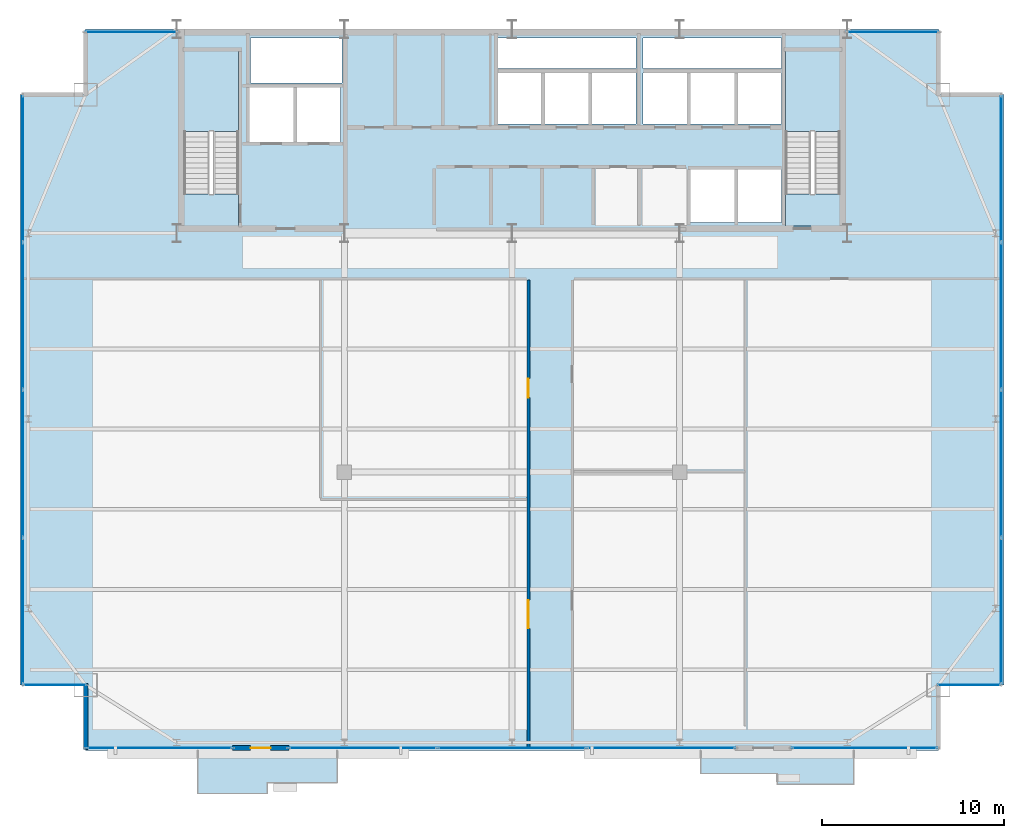
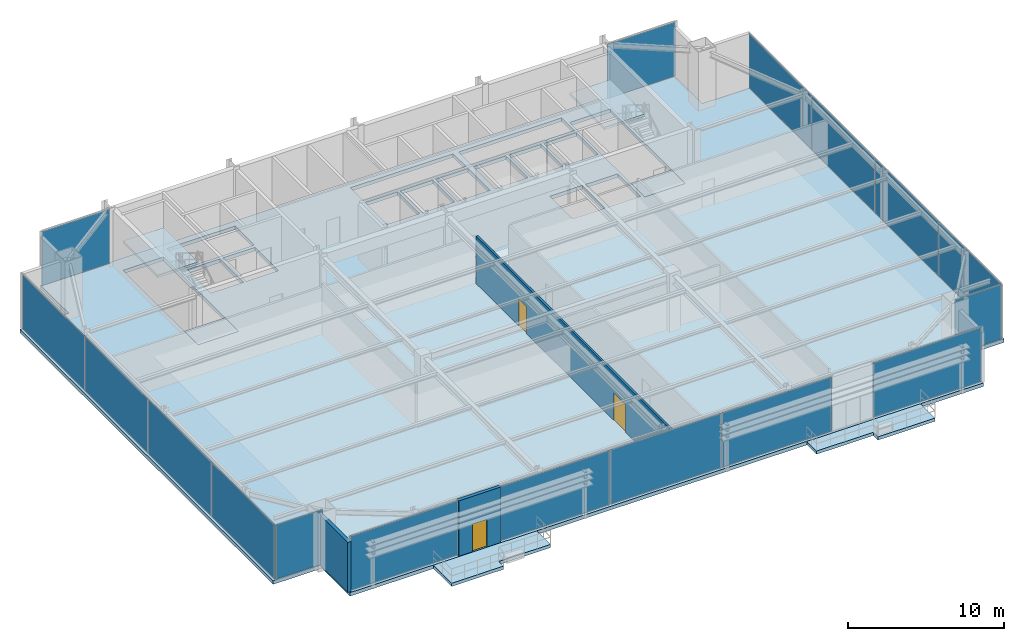
# One storey, part 20 of 25: 17 plates, 7 slabs, 3 doors, 3 walls, 3 openings, 11 elements without a shape of their own.
"""IFC4 building model written with IfcOpenShell, lengths in metres."""

from ifc_helpers import new_model, si_unit, direction, frame, frame_2d, origin, origin_2d, place, context, subcontext, project, spatial, polyline, rectangle, outline, extrude, source, transform, mapped, material, layer, layer_set, type_object, type_shapes, element, fill, aggregate, save


model = new_model("IFC4")

# Units and contexts
model_context = context("Model", 3, precision=1e-05, world=origin(), true_north=direction((0.0, 1.0)))
body_context = subcontext(model_context, "Body", "Model", "MODEL_VIEW")
ifc_project = project(units=[si_unit("LENGTHUNIT", "METRE"), si_unit("AREAUNIT", "SQUARE_METRE"), si_unit("VOLUMEUNIT", "CUBIC_METRE"), si_unit("PLANEANGLEUNIT", "RADIAN"), si_unit("MASSUNIT", "GRAM", prefix="KILO")], contexts=[model_context])

# Site, building, storey
site_placement = place(None, origin())
site = spatial("IfcSite", under=ifc_project, at=site_placement, CompositionType="ELEMENT")
building_placement = place(site_placement, origin())
building = spatial("IfcBuilding", under=site, at=building_placement, Name="Varnel Quay Broadcast Tower", CompositionType="ELEMENT")
storey_placement = place(building_placement, frame((0.0, 0.0, 191.39990234375)))
storey = spatial("IfcBuildingStorey", under=building, at=storey_placement, Name="L47", CompositionType="ELEMENT", Elevation=191.39990234375)

# Slabs
ifc_material_1 = material(Name="Concrete CSA A23.3 C40/50", Category="concrete")
ifc_layer_1 = layer(ifc_material_1, 0.25, Name="Concrete CSA A23.3 C40/50")
ifc_layer_set_1 = layer_set([ifc_layer_1], Name="Concrete CSA A23.3 C40/50")
slab_type_1 = type_object("IfcSlabType", Name="Slab_ExtTerrace250", PredefinedType="FLOOR", material=ifc_layer_set_1)
slab_1_placement = place(storey_placement, frame((0.0, 0.0, -0.25)))
element("IfcSlab", 1, at=slab_1_placement, inside=storey, type_object=slab_type_1, Name="L47 Planted Lobe Terrace Slab 1", PredefinedType="FLOOR", context=body_context, shape_type="SweptSolid", body=[
    extrude(outline(polyline([(16.75, 4.85009765625), (20.574951171875, 4.85009765625), (20.574951171875, 5.449951171875), (24.39990234375, 5.449951171875), (24.39990234375, 7.199951171875), (16.75, 7.199951171875), (16.75, 4.85009765625)])), origin(), (0.0, 0.0, 1.0), 0.25),
])
slab_2_placement = place(storey_placement, frame((0.0, 0.0, -0.25)))
element("IfcSlab", 2, at=slab_2_placement, inside=storey, type_object=slab_type_1, Name="L47 Planted Lobe Terrace Slab 2", PredefinedType="FLOOR", context=body_context, shape_type="SweptSolid", body=[
    extrude(outline(polyline([(44.35009765625, 5.949951171875), (48.550048828125, 5.949951171875), (48.550048828125, 5.35009765625), (52.75, 5.35009765625), (52.75, 7.199951171875), (44.35009765625, 7.199951171875), (44.35009765625, 5.949951171875)])), origin(), (0.0, 0.0, 1.0), 0.25),
])
ifc_material_2 = material(Name="Concrete CSA A23.3 C50/60", Category="concrete")
ifc_layer_2 = layer(ifc_material_2, 0.280029296875, Name="Concrete CSA A23.3 C50/60")
ifc_layer_set_2 = layer_set([ifc_layer_2], Name="Concrete CSA A23.3 C50/60")
slab_type_2 = type_object("IfcSlabType", Name="Slab_Floor280", PredefinedType="FLOOR", material=ifc_layer_set_2)
slab_3_placement = place(storey_placement, frame((0.0, 0.0, -0.27978515625)))
element("IfcSlab", 3, at=slab_3_placement, inside=storey, type_object=slab_type_2, Name="L47 Structural Slab", PredefinedType="FLOOR", context=body_context, shape_type="SweptSolid", body=[
    extrude(outline(polyline([(10.60009765625, 7.199951171875), (57.39990234375, 7.199951171875), (57.39990234375, 10.800048828125), (61.0, 10.800048828125), (61.0, 43.199951171875), (57.39990234375, 43.199951171875), (57.39990234375, 46.800048828125), (10.60009765625, 46.800048828125), (10.60009765625, 43.199951171875), (7.0, 43.199951171875), (7.0, 10.800048828125), (10.60009765625, 10.800048828125), (10.60009765625, 7.199951171875)]), holes=[polyline([(19.0, 36.0), (16.0, 36.0), (16.0, 45.60009765625), (19.0, 45.60009765625), (19.0, 36.0)]), polyline([(19.60009765625, 43.60009765625), (22.0, 43.60009765625), (22.0, 40.60009765625), (19.60009765625, 40.60009765625), (19.60009765625, 43.60009765625)]), polyline([(22.199951171875, 43.60009765625), (24.60009765625, 43.60009765625), (24.60009765625, 40.60009765625), (22.199951171875, 40.60009765625), (22.199951171875, 43.60009765625)]), polyline([(33.199951171875, 44.39990234375), (35.60009765625, 44.39990234375), (35.60009765625, 41.60009765625), (33.199951171875, 41.60009765625), (33.199951171875, 44.39990234375)]), polyline([(35.800048828125, 44.39990234375), (38.199951171875, 44.39990234375), (38.199951171875, 41.60009765625), (35.800048828125, 41.60009765625), (35.800048828125, 44.39990234375)]), polyline([(38.39990234375, 44.39990234375), (40.800048828125, 44.39990234375), (40.800048828125, 41.60009765625), (38.39990234375, 41.60009765625), (38.39990234375, 44.39990234375)]), polyline([(19.64990234375, 46.300048828125), (24.679931640625, 46.300048828125), (24.679931640625, 43.85009765625), (19.64990234375, 43.85009765625), (19.64990234375, 46.300048828125)]), polyline([(33.199951171875, 46.300048828125), (40.800048828125, 46.300048828125), (40.800048828125, 44.64990234375), (33.199951171875, 44.64990234375), (33.199951171875, 46.300048828125)]), polyline([(43.800048828125, 39.10009765625), (46.199951171875, 39.10009765625), (46.199951171875, 36.199951171875), (43.800048828125, 36.199951171875), (43.800048828125, 39.10009765625)]), polyline([(46.39990234375, 39.10009765625), (48.800048828125, 39.10009765625), (48.800048828125, 36.199951171875), (46.39990234375, 36.199951171875), (46.39990234375, 39.10009765625)]), polyline([(49.0, 36.0), (49.0, 45.60009765625), (52.0, 45.60009765625), (52.0, 36.0), (49.0, 36.0)]), polyline([(41.199951171875, 44.39990234375), (43.60009765625, 44.39990234375), (43.60009765625, 41.60009765625), (41.199951171875, 41.60009765625), (41.199951171875, 44.39990234375)]), polyline([(43.800048828125, 44.39990234375), (46.199951171875, 44.39990234375), (46.199951171875, 41.60009765625), (43.800048828125, 41.60009765625), (43.800048828125, 44.39990234375)]), polyline([(46.39990234375, 44.39990234375), (48.800048828125, 44.39990234375), (48.800048828125, 41.60009765625), (46.39990234375, 41.60009765625), (46.39990234375, 44.39990234375)]), polyline([(41.199951171875, 46.300048828125), (48.800048828125, 46.300048828125), (48.800048828125, 44.64990234375), (41.199951171875, 44.64990234375), (41.199951171875, 46.300048828125)])]), origin(), (0.0, 0.0, 1.0), 0.27978515625),
])
ifc_layer_3 = layer(ifc_material_2, 0.25, Name="Concrete CSA A23.3 C50/60")
ifc_layer_set_3 = layer_set([ifc_layer_3], Name="Concrete CSA A23.3 C50/60")
slab_type_3 = type_object("IfcSlabType", Name="Slab_StairFloorLanding250", PredefinedType="FLOOR", material=ifc_layer_set_3)
slab_4_placement = place(storey_placement, frame((0.0, 0.0, -0.27978515625)))
element("IfcSlab", 4, at=slab_4_placement, inside=storey, type_object=slab_type_3, Name="L47 ST-01 Structural Floor Landing Slab", PredefinedType="FLOOR", context=body_context, shape_type="SweptSolid", body=[
    extrude(outline(polyline([(19.0, 36.0), (19.0, 37.75), (16.0, 37.75), (16.0, 36.0), (19.0, 36.0)])), origin(), (0.0, 0.0, 1.0), 0.27978515625),
])
slab_5_placement = place(storey_placement, frame((0.0, 0.0, -0.27978515625)))
element("IfcSlab", 5, at=slab_5_placement, inside=storey, type_object=slab_type_3, Name="L47 ST-02 Structural Floor Landing Slab", PredefinedType="FLOOR", context=body_context, shape_type="SweptSolid", body=[
    extrude(outline(polyline([(52.0, 36.0), (52.0, 37.75), (49.0, 37.75), (49.0, 36.0), (52.0, 36.0)])), origin(), (0.0, 0.0, 1.0), 0.27978515625),
])

# Stair, slab
ifc_material_3 = material(Name="Precast Structural Concrete C40/50", Category="concrete")
stair_type_1 = type_object("IfcStairType", Name="Stair_ST-01", PredefinedType="HALF_TURN_STAIR", material=ifc_material_3)
stair_1_placement = place(storey_placement, origin())
stair_1 = element("IfcStair", 6, at=stair_1_placement, inside=storey, type_object=stair_type_1, Name="L47 West Core Exit Stair 1", PredefinedType="HALF_TURN_STAIR")
ifc_layer_4 = layer(ifc_material_3, 0.199951171875, Name="Precast Structural Concrete C40/50")
ifc_layer_set_4 = layer_set([ifc_layer_4], Name="Precast Structural Concrete C40/50")
slab_type_4 = type_object("IfcSlabType", Name="Slab_StairLanding200", PredefinedType="LANDING", material=ifc_layer_set_4)
slab_6_placement = place(storey_placement, frame((0.0, 0.0, 2.10009765625)))
slab_6 = element("IfcSlab", 7, at=slab_6_placement, type_object=slab_type_4, Name="ST-01 landing 1", PredefinedType="LANDING", context=body_context, shape_type="SweptSolid", body=[
    extrude(outline(polyline([(19.0, 41.169921875), (19.0, 45.60009765625), (16.0, 45.60009765625), (16.0, 41.169921875), (19.0, 41.169921875)])), origin(), (0.0, 0.0, 1.0), 0.199951171875),
])
aggregate(stair_1, [slab_6])

stair_type_2 = type_object("IfcStairType", Name="Stair_ST-02", PredefinedType="HALF_TURN_STAIR", material=ifc_material_3)
stair_2_placement = place(storey_placement, origin())
stair_2 = element("IfcStair", 8, at=stair_2_placement, inside=storey, type_object=stair_type_2, Name="L47 East Core Exit Stair 2", PredefinedType="HALF_TURN_STAIR")
slab_7_placement = place(storey_placement, frame((0.0, 0.0, 2.10009765625)))
slab_7 = element("IfcSlab", 9, at=slab_7_placement, type_object=slab_type_4, Name="ST-02 landing 1", PredefinedType="LANDING", context=body_context, shape_type="SweptSolid", body=[
    extrude(outline(polyline([(52.0, 41.169921875), (52.0, 45.60009765625), (49.0, 45.60009765625), (49.0, 41.169921875), (52.0, 41.169921875)])), origin(), (0.0, 0.0, 1.0), 0.199951171875),
])
aggregate(stair_2, [slab_7])

# Curtain wall, plate
ifc_material_4 = material(Name="Anodised Bronze Aluminium 6063-T6", Category="aluminium")
ifc_layer_5 = layer(ifc_material_4, 0.18994140625, Name="Anodised Bronze Aluminium 6063-T6")
ifc_layer_set_5 = layer_set([ifc_layer_5], Name="Anodised Bronze Aluminium 6063-T6")
curtain_wall_type_1 = type_object("IfcCurtainWallType", Name="CW_NotchCorner", PredefinedType="NOTDEFINED", material=ifc_layer_set_5)
curtain_wall_1_placement = place(storey_placement, origin())
curtain_wall_1 = element("IfcCurtainWall", 10, at=curtain_wall_1_placement, inside=storey, type_object=curtain_wall_type_1, Name="L47 SW Notch Curtain Wall", PredefinedType="NOTDEFINED")
ifc_material_5 = material(Name="Triple-Glazed Bronze Low-E Architectural Glass", Category="glass")
ifc_layer_6 = layer(ifc_material_5, 0.028076171875, Name="Triple-Glazed Bronze Low-E Architectural Glass")
ifc_layer_set_6 = layer_set([ifc_layer_6], Name="Triple-Glazed Bronze Low-E Architectural Glass")
plate_type_1 = type_object("IfcPlateType", Name="Panel_CWS-04", PredefinedType="CURTAIN_PANEL", material=ifc_layer_set_6)
shared_shape_1 = source(origin(), body_context, "Body", "SweptSolid", [
    extrude(rectangle(XDim=3.409912109375, YDim=0.028076171875, at=origin_2d()), origin(), (0.0, 0.0, 1.0), 4.239990234375),
])
type_shapes(plate_type_1, [shared_shape_1])
plate_1_placement = place(storey_placement, frame((8.9150390625, 10.800048828125, 0.05517578125), z_axis=(0.0, 0.0, 1.0), x_axis=(1.0, 0.0, 0.0)))
plate_1 = element("IfcPlate", 11, at=plate_1_placement, type_object=plate_type_1, Name="CWS-04 panel 1.1", PredefinedType="CURTAIN_PANEL", context=body_context, shape_type="MappedRepresentation", body=[
    mapped(shared_shape_1, transform((0.0, 0.0, 0.0), x_axis=(1.0, 0.0, 0.0), y_axis=(0.0, 1.0, 0.0), z_axis=(0.0, 0.0, 1.0), scale=1.0)),
])
aggregate(curtain_wall_1, [plate_1])

curtain_wall_2_placement = place(storey_placement, origin())
curtain_wall_2 = element("IfcCurtainWall", 12, at=curtain_wall_2_placement, inside=storey, type_object=curtain_wall_type_1, Name="L47 SE Notch Curtain Wall", PredefinedType="NOTDEFINED")
plate_2_placement = place(storey_placement, frame((59.0849609375, 10.800048828125, 0.05517578125), z_axis=(0.0, 0.0, 1.0), x_axis=(1.0, 0.0, 0.0)))
plate_2 = element("IfcPlate", 13, at=plate_2_placement, type_object=plate_type_1, Name="CWS-04 panel 1.1", PredefinedType="CURTAIN_PANEL", context=body_context, shape_type="MappedRepresentation", body=[
    mapped(shared_shape_1, transform((0.0, 0.0, 0.0), x_axis=(1.0, 0.0, 0.0), y_axis=(0.0, 1.0, 0.0), z_axis=(0.0, 0.0, 1.0), scale=1.0)),
])
aggregate(curtain_wall_2, [plate_2])

ifc_layer_7 = layer(ifc_material_4, 0.18994140625, Name="Anodised Bronze Aluminium 6063-T6")
ifc_layer_set_7 = layer_set([ifc_layer_7], Name="Anodised Bronze Aluminium 6063-T6")
curtain_wall_type_2 = type_object("IfcCurtainWallType", Name="CW_SkyObsHighVis", PredefinedType="NOTDEFINED", material=ifc_layer_set_7)
curtain_wall_3_placement = place(storey_placement, origin())
curtain_wall_3 = element("IfcCurtainWall", 14, at=curtain_wall_3_placement, inside=storey, type_object=curtain_wall_type_2, Name="L47 South Unitised Curtain Wall 1", PredefinedType="NOTDEFINED")
ifc_material_6 = material(Name="Triple-Glazed Clear High-Vision Low-E Glass", Category="glass")
ifc_layer_8 = layer(ifc_material_6, 0.0380859375, Name="Triple-Glazed Clear High-Vision Low-E Glass")
ifc_layer_set_8 = layer_set([ifc_layer_8], Name="Triple-Glazed Clear High-Vision Low-E Glass")
plate_type_2 = type_object("IfcPlateType", Name="Panel_CWS-05", PredefinedType="CURTAIN_PANEL", material=ifc_layer_set_8)
shared_shape_2 = source(origin(), body_context, "Body", "SweptSolid", [
    extrude(rectangle(XDim=7.969970703125, YDim=0.0380859375, at=origin_2d()), origin(), (0.0, 0.0, 1.0), 4.22998046875),
])
plate_3_placement = place(storey_placement, frame((14.659912109375, 7.35009765625, 0.06005859375), z_axis=(0.0, 0.0, 1.0), x_axis=(1.0, 0.0, 0.0)))
plate_3 = element("IfcPlate", 15, at=plate_3_placement, type_object=plate_type_2, Name="CWS-05 panel 1.1", PredefinedType="CURTAIN_PANEL", context=body_context, shape_type="MappedRepresentation", body=[
    mapped(shared_shape_2, transform((0.0, 0.0, 0.0), x_axis=(1.0, 0.0, 0.0), y_axis=(0.0, 1.0, 0.0), z_axis=(0.0, 0.0, 1.0), scale=1.0)),
])
aggregate(curtain_wall_3, [plate_3])

curtain_wall_4_placement = place(storey_placement, origin())
curtain_wall_4 = element("IfcCurtainWall", 16, at=curtain_wall_4_placement, inside=storey, type_object=curtain_wall_type_2, Name="L47 South Unitised Curtain Wall 3", PredefinedType="NOTDEFINED")
plate_4_placement = place(storey_placement, frame((53.340087890625, 7.35009765625, 0.06005859375), z_axis=(0.0, 0.0, 1.0), x_axis=(1.0, 0.0, 0.0)))
plate_4 = element("IfcPlate", 17, at=plate_4_placement, type_object=plate_type_2, Name="CWS-05 panel 1.1", PredefinedType="CURTAIN_PANEL", context=body_context, shape_type="MappedRepresentation", body=[
    mapped(shared_shape_2, transform((0.0, 0.0, 0.0), x_axis=(1.0, 0.0, 0.0), y_axis=(0.0, 1.0, 0.0), z_axis=(0.0, 0.0, 1.0), scale=1.0)),
])
aggregate(curtain_wall_4, [plate_4])

# Curtain wall, plates
curtain_wall_5_placement = place(storey_placement, origin())
curtain_wall_5 = element("IfcCurtainWall", 18, at=curtain_wall_5_placement, inside=storey, type_object=curtain_wall_type_2, Name="L47 South Unitised Curtain Wall 2", PredefinedType="NOTDEFINED")
shared_shape_3 = source(origin(), body_context, "Body", "SweptSolid", [
    extrude(rectangle(XDim=8.100830078125, YDim=0.0380859375, at=origin_2d()), origin(), (0.0, 0.0, 1.0), 4.22998046875),
])
plate_5_placement = place(storey_placement, frame((25.805419921875, 7.35009765625, 0.06005859375), z_axis=(0.0, 0.0, 1.0), x_axis=(1.0, 0.0, 0.0)))
plate_5 = element("IfcPlate", 19, at=plate_5_placement, type_object=plate_type_2, Name="CWS-05 panel 1.1", PredefinedType="CURTAIN_PANEL", context=body_context, shape_type="MappedRepresentation", body=[
    mapped(shared_shape_3, transform((0.0, 0.0, 0.0), x_axis=(1.0, 0.0, 0.0), y_axis=(0.0, 1.0, 0.0), z_axis=(0.0, 0.0, 1.0), scale=1.0)),
])
plate_6_placement = place(storey_placement, frame((42.194580078125, 7.35009765625, 0.06005859375), z_axis=(0.0, 0.0, 1.0), x_axis=(1.0, 0.0, 0.0)))
plate_6 = element("IfcPlate", 20, at=plate_6_placement, type_object=plate_type_2, Name="CWS-05 panel 3.1", PredefinedType="CURTAIN_PANEL", context=body_context, shape_type="MappedRepresentation", body=[
    mapped(shared_shape_3, transform((0.0, 0.0, 0.0), x_axis=(1.0, 0.0, 0.0), y_axis=(0.0, 1.0, 0.0), z_axis=(0.0, 0.0, 1.0), scale=1.0)),
])
shared_shape_4 = source(origin(), body_context, "Body", "SweptSolid", [
    extrude(rectangle(XDim=8.138427734375, YDim=0.0380859375, at=origin_2d()), origin(), (0.0, 0.0, 1.0), 4.22998046875),
])
plate_7_placement = place(storey_placement, frame((34.0, 7.35009765625, 0.06005859375), z_axis=(0.0, 0.0, 1.0), x_axis=(1.0, 0.0, 0.0)))
plate_7 = element("IfcPlate", 21, at=plate_7_placement, type_object=plate_type_2, Name="CWS-05 panel 2.1", PredefinedType="CURTAIN_PANEL", context=body_context, shape_type="MappedRepresentation", body=[
    mapped(shared_shape_4, transform((0.0, 0.0, 0.0), x_axis=(1.0, 0.0, 0.0), y_axis=(0.0, 1.0, 0.0), z_axis=(0.0, 0.0, 1.0), scale=1.0)),
])
aggregate(curtain_wall_5, [plate_5, plate_7, plate_6])

curtain_wall_6_placement = place(storey_placement, origin())
curtain_wall_6 = element("IfcCurtainWall", 22, at=curtain_wall_6_placement, inside=storey, type_object=curtain_wall_type_2, Name="L47 West Unitised Curtain Wall", PredefinedType="NOTDEFINED")
shared_shape_5 = source(origin(), body_context, "Body", "SweptSolid", [
    extrude(rectangle(XDim=7.987548828125, YDim=0.0380859375, at=origin_2d()), origin(), (0.0, 0.0, 1.0), 4.22998046875),
])
plate_8_placement = place(storey_placement, frame((7.14990234375, 14.86865234375, 0.06005859375), z_axis=(0.0, 0.0, 1.0), x_axis=(0.0, 1.0, 0.0)))
plate_8 = element("IfcPlate", 23, at=plate_8_placement, type_object=plate_type_2, Name="CWS-05 panel 1.1", PredefinedType="CURTAIN_PANEL", context=body_context, shape_type="MappedRepresentation", body=[
    mapped(shared_shape_5, transform((0.0, 0.0, 0.0), x_axis=(1.0, 0.0, 0.0), y_axis=(0.0, 1.0, 0.0), z_axis=(0.0, 0.0, 1.0), scale=1.0)),
])
plate_9_placement = place(storey_placement, frame((7.14990234375, 39.13134765625, 0.06005859375), z_axis=(0.0, 0.0, 1.0), x_axis=(0.0, 1.0, 0.0)))
plate_9 = element("IfcPlate", 24, at=plate_9_placement, type_object=plate_type_2, Name="CWS-05 panel 4.1", PredefinedType="CURTAIN_PANEL", context=body_context, shape_type="MappedRepresentation", body=[
    mapped(shared_shape_5, transform((0.0, 0.0, 0.0), x_axis=(1.0, 0.0, 0.0), y_axis=(0.0, 1.0, 0.0), z_axis=(0.0, 0.0, 1.0), scale=1.0)),
])

curtain_wall_7_placement = place(storey_placement, origin())
curtain_wall_7 = element("IfcCurtainWall", 25, at=curtain_wall_7_placement, inside=storey, type_object=curtain_wall_type_2, Name="L47 East Unitised Curtain Wall", PredefinedType="NOTDEFINED")
plate_10_placement = place(storey_placement, frame((60.85009765625, 14.86865234375, 0.06005859375), z_axis=(0.0, 0.0, 1.0), x_axis=(0.0, 1.0, 0.0)))
plate_10 = element("IfcPlate", 26, at=plate_10_placement, type_object=plate_type_2, Name="CWS-05 panel 1.1", PredefinedType="CURTAIN_PANEL", context=body_context, shape_type="MappedRepresentation", body=[
    mapped(shared_shape_5, transform((0.0, 0.0, 0.0), x_axis=(1.0, 0.0, 0.0), y_axis=(0.0, 1.0, 0.0), z_axis=(0.0, 0.0, 1.0), scale=1.0)),
])
plate_11_placement = place(storey_placement, frame((60.85009765625, 39.13134765625, 0.06005859375), z_axis=(0.0, 0.0, 1.0), x_axis=(0.0, 1.0, 0.0)))
plate_11 = element("IfcPlate", 27, at=plate_11_placement, type_object=plate_type_2, Name="CWS-05 panel 4.1", PredefinedType="CURTAIN_PANEL", context=body_context, shape_type="MappedRepresentation", body=[
    mapped(shared_shape_5, transform((0.0, 0.0, 0.0), x_axis=(1.0, 0.0, 0.0), y_axis=(0.0, 1.0, 0.0), z_axis=(0.0, 0.0, 1.0), scale=1.0)),
])

# Plate
shared_shape_6 = source(origin(), body_context, "Body", "SweptSolid", [
    extrude(rectangle(XDim=8.02490234375, YDim=0.0380859375, at=origin_2d()), origin(), (0.0, 0.0, 1.0), 4.22998046875),
])
plate_12_placement = place(storey_placement, frame((7.14990234375, 22.949951171875, 0.06005859375), z_axis=(0.0, 0.0, 1.0), x_axis=(0.0, 1.0, 0.0)))
plate_12 = element("IfcPlate", 28, at=plate_12_placement, type_object=plate_type_2, Name="CWS-05 panel 2.1", PredefinedType="CURTAIN_PANEL", context=body_context, shape_type="MappedRepresentation", body=[
    mapped(shared_shape_6, transform((0.0, 0.0, 0.0), x_axis=(1.0, 0.0, 0.0), y_axis=(0.0, 1.0, 0.0), z_axis=(0.0, 0.0, 1.0), scale=1.0)),
])

plate_13_placement = place(storey_placement, frame((7.14990234375, 31.050048828125, 0.06005859375), z_axis=(0.0, 0.0, 1.0), x_axis=(0.0, 1.0, 0.0)))
plate_13 = element("IfcPlate", 29, at=plate_13_placement, type_object=plate_type_2, Name="CWS-05 panel 3.1", PredefinedType="CURTAIN_PANEL", context=body_context, shape_type="MappedRepresentation", body=[
    mapped(shared_shape_6, transform((0.0, 0.0, 0.0), x_axis=(1.0, 0.0, 0.0), y_axis=(0.0, 1.0, 0.0), z_axis=(0.0, 0.0, 1.0), scale=1.0)),
])

aggregate(curtain_wall_6, [plate_8, plate_12, plate_13, plate_9])

plate_14_placement = place(storey_placement, frame((60.85009765625, 22.949951171875, 0.06005859375), z_axis=(0.0, 0.0, 1.0), x_axis=(0.0, 1.0, 0.0)))
plate_14 = element("IfcPlate", 30, at=plate_14_placement, type_object=plate_type_2, Name="CWS-05 panel 2.1", PredefinedType="CURTAIN_PANEL", context=body_context, shape_type="MappedRepresentation", body=[
    mapped(shared_shape_6, transform((0.0, 0.0, 0.0), x_axis=(1.0, 0.0, 0.0), y_axis=(0.0, 1.0, 0.0), z_axis=(0.0, 0.0, 1.0), scale=1.0)),
])

plate_15_placement = place(storey_placement, frame((60.85009765625, 31.050048828125, 0.06005859375), z_axis=(0.0, 0.0, 1.0), x_axis=(0.0, 1.0, 0.0)))
plate_15 = element("IfcPlate", 31, at=plate_15_placement, type_object=plate_type_2, Name="CWS-05 panel 3.1", PredefinedType="CURTAIN_PANEL", context=body_context, shape_type="MappedRepresentation", body=[
    mapped(shared_shape_6, transform((0.0, 0.0, 0.0), x_axis=(1.0, 0.0, 0.0), y_axis=(0.0, 1.0, 0.0), z_axis=(0.0, 0.0, 1.0), scale=1.0)),
])

aggregate(curtain_wall_7, [plate_10, plate_14, plate_15, plate_11])

# Curtain wall, plate
curtain_wall_8_placement = place(storey_placement, origin())
curtain_wall_8 = element("IfcCurtainWall", 32, at=curtain_wall_8_placement, inside=storey, type_object=curtain_wall_type_2, Name="L47 NW Wing Curtain Wall", PredefinedType="NOTDEFINED")
shared_shape_7 = source(origin(), body_context, "Body", "SweptSolid", [
    extrude(rectangle(XDim=5.030029296875, YDim=0.0380859375, at=origin_2d()), origin(), (0.0, 0.0, 1.0), 4.22998046875),
])
type_shapes(plate_type_2, [shared_shape_2, shared_shape_3, shared_shape_4, shared_shape_5, shared_shape_6, shared_shape_7])
plate_16_placement = place(storey_placement, frame((13.110107421875, 46.64990234375, 0.06005859375), z_axis=(0.0, 0.0, 1.0), x_axis=(1.0, 0.0, 0.0)))
plate_16 = element("IfcPlate", 33, at=plate_16_placement, type_object=plate_type_2, Name="CWS-05 panel 1.1", PredefinedType="CURTAIN_PANEL", context=body_context, shape_type="MappedRepresentation", body=[
    mapped(shared_shape_7, transform((0.0, 0.0, 0.0), x_axis=(1.0, 0.0, 0.0), y_axis=(0.0, 1.0, 0.0), z_axis=(0.0, 0.0, 1.0), scale=1.0)),
])
aggregate(curtain_wall_8, [plate_16])

curtain_wall_9_placement = place(storey_placement, origin())
curtain_wall_9 = element("IfcCurtainWall", 34, at=curtain_wall_9_placement, inside=storey, type_object=curtain_wall_type_2, Name="L47 NE Wing Curtain Wall", PredefinedType="NOTDEFINED")
plate_17_placement = place(storey_placement, frame((54.889892578125, 46.64990234375, 0.06005859375), z_axis=(0.0, 0.0, 1.0), x_axis=(1.0, 0.0, 0.0)))
plate_17 = element("IfcPlate", 35, at=plate_17_placement, type_object=plate_type_2, Name="CWS-05 panel 1.1", PredefinedType="CURTAIN_PANEL", context=body_context, shape_type="MappedRepresentation", body=[
    mapped(shared_shape_7, transform((0.0, 0.0, 0.0), x_axis=(1.0, 0.0, 0.0), y_axis=(0.0, 1.0, 0.0), z_axis=(0.0, 0.0, 1.0), scale=1.0)),
])
aggregate(curtain_wall_9, [plate_17])

# Wall, opening, door
ifc_material_7 = material(Name="Precast Architectural Concrete C40/50", Category="concrete")
ifc_layer_9 = layer(ifc_material_7, 0.25, Name="Precast Architectural Concrete C40/50")
ifc_layer_set_9 = layer_set([ifc_layer_9], Name="Precast Architectural Concrete C40/50")
wall_type_1 = type_object("IfcWallType", Name="Wall_ExtTerrace250", PredefinedType="SOLIDWALL", material=ifc_layer_set_9)
wall_1_placement = place(storey_placement, frame((18.64990234375, 7.35009765625, 0.0), z_axis=(0.0, 0.0, 1.0), x_axis=(1.0, 0.0, 0.0)))
wall_1 = element("IfcWall", 36, at=wall_1_placement, inside=storey, type_object=wall_type_1, Name="L47 Terrace Access Wall 1", PredefinedType="SOLIDWALL", context=body_context, shape_type="SweptSolid", body=[
    extrude(rectangle(XDim=3.10009765625, YDim=0.25, at=frame_2d((1.550048828125, 0.0))), origin(), (0.0, 0.0, 1.0), 4.330078125),
])
opening_1_placement = place(wall_1_placement, frame((1.0, 0.0, 0.0)))
opening_1 = element("IfcOpeningElement", 37, at=opening_1_placement, cuts=wall_1, Name="Opening TD-471", PredefinedType="OPENING", context=body_context, shape_type="SweptSolid", body=[
    extrude(rectangle(XDim=1.10009765625, YDim=2.14990234375, at=frame_2d((0.550048828125, 1.074951171875))), frame((0.0, 0.135009765625, 0.0), z_axis=(0.0, -1.0, 0.0), x_axis=(1.0, 0.0, 0.0)), (0.0, 0.0, 1.0), 0.27001953125),
])
door_type_1 = type_object("IfcDoorType", Name="Door_ExtTerrace1100", OperationType="NOTDEFINED", PredefinedType="DOOR", material=ifc_material_4)
shared_shape_8 = source(origin(), body_context, "Body", "SweptSolid", [
    extrude(rectangle(XDim=1.10009765625, YDim=2.14990234375, at=frame_2d((0.550048828125, 1.074951171875))), frame((0.0, 0.02490234375, 0.0), z_axis=(0.0, -1.0, 0.0), x_axis=(1.0, 0.0, 0.0)), (0.0, 0.0, 1.0), 0.050048828125),
])
type_shapes(door_type_1, [shared_shape_8])
door_1_placement = place(opening_1_placement, frame((1.10009765625, 0.0, 0.0), z_axis=(0.0, 0.0, 1.0), x_axis=(-1.0, 0.0, 0.0)))
door_1 = element("IfcDoor", 38, at=door_1_placement, inside=storey, type_object=door_type_1, Name="L47 Terrace Door TD-471", OperationType="SINGLE_SWING_LEFT", OverallHeight=2.14990234375, OverallWidth=1.10009765625, PredefinedType="DOOR", context=body_context, shape_type="MappedRepresentation", body=[
    mapped(shared_shape_8, transform((0.0, 0.0, 0.0), x_axis=(1.0, 0.0, 0.0), y_axis=(0.0, 1.0, 0.0), z_axis=(0.0, 0.0, 1.0), scale=1.0)),
])
fill(opening_1, door_1)

# Wall
wall_2_placement = place(storey_placement, frame((10.60009765625, 7.280029296875, 0.0), z_axis=(0.0, 0.0, 1.0), x_axis=(0.0, 1.0, 0.0)))
element("IfcWall", 39, at=wall_2_placement, inside=storey, type_object=wall_type_1, Name="L47 Mega-Column Notch Cladding Wall NSW2", PredefinedType="SOLIDWALL", context=body_context, shape_type="SweptSolid", body=[
    extrude(rectangle(XDim=3.599853515625, YDim=0.25, at=frame_2d((1.7998046875, 0.0))), origin(), (0.0, 0.0, 1.0), 3.908203125),
])

# Wall, openings, doors
ifc_material_8 = material(Name="Steel-Stud Fire-Rated Acoustic Gypsum Partition Assembly", Category="steel")
ifc_layer_10 = layer(ifc_material_8, 0.14990234375, Name="Steel-Stud Fire-Rated Acoustic Gypsum Partition Assembly")
ifc_layer_set_10 = layer_set([ifc_layer_10], Name="Steel-Stud Fire-Rated Acoustic Gypsum Partition Assembly")
wall_type_2 = type_object("IfcWallType", Name="Wall_Partition150", PredefinedType="PARTITIONING", material=ifc_layer_set_10)
wall_3_placement = place(storey_placement, frame((34.89990234375, 7.3798828125, 0.0), z_axis=(0.0, 0.0, 1.0), x_axis=(0.0, 1.0, 0.0)))
wall_3 = element("IfcWall", 40, at=wall_3_placement, inside=storey, type_object=wall_type_2, Name="L47 Mid-to-High Sky Transfer Hall Partition 8", PredefinedType="PARTITIONING", context=body_context, shape_type="SweptSolid", body=[
    extrude(rectangle(XDim=25.64501953125, YDim=0.14990234375, at=frame_2d((12.822509765625, 0.0))), origin(), (0.0, 0.0, 1.0), 3.708984375),
])
opening_2_placement = place(wall_3_placement, frame((6.5400390625, 0.0, 0.0)))
opening_2 = element("IfcOpeningElement", 41, at=opening_2_placement, cuts=wall_3, Name="Opening D-L47-06", PredefinedType="OPENING", context=body_context, shape_type="SweptSolid", body=[
    extrude(rectangle(XDim=1.550048828125, YDim=2.1201171875, at=frame_2d((0.77490234375, 1.06005859375))), frame((0.0, 0.0849609375, 0.0), z_axis=(0.0, -1.0, 0.0), x_axis=(1.0, 0.0, 0.0)), (0.0, 0.0, 1.0), 0.169921875),
])
opening_3_placement = place(wall_3_placement, frame((19.195068359375, 0.0, 0.0)))
opening_3 = element("IfcOpeningElement", 42, at=opening_3_placement, cuts=wall_3, Name="Opening D-L47-07", PredefinedType="OPENING", context=body_context, shape_type="SweptSolid", body=[
    extrude(rectangle(XDim=1.050048828125, YDim=2.10009765625, at=frame_2d((0.52490234375, 1.050048828125))), frame((0.0, 0.0849609375, 0.0), z_axis=(0.0, -1.0, 0.0), x_axis=(1.0, 0.0, 0.0)), (0.0, 0.0, 1.0), 0.169921875),
])
ifc_material_9 = material(Name="Solid-Core Fire-Rated Acoustic Oak Veneer Door", Category="wood")
door_type_2 = type_object("IfcDoorType", Name="Door_Lobby1550", OperationType="DOUBLE_DOOR_SINGLE_SWING", PredefinedType="DOOR", material=ifc_material_9)
shared_shape_9 = source(origin(), body_context, "Body", "SweptSolid", [
    extrude(rectangle(XDim=1.550048828125, YDim=2.1201171875, at=frame_2d((0.77490234375, 1.06005859375))), frame((0.0, 0.02490234375, 0.0), z_axis=(0.0, -1.0, 0.0), x_axis=(1.0, 0.0, 0.0)), (0.0, 0.0, 1.0), 0.050048828125),
])
type_shapes(door_type_2, [shared_shape_9])
door_2_placement = place(opening_2_placement, origin())
door_2 = element("IfcDoor", 43, at=door_2_placement, inside=storey, type_object=door_type_2, Name="L47 Mid-to-High Sky Transfer Hall Door D-L47-06", OperationType="DOUBLE_DOOR_SINGLE_SWING", OverallHeight=2.1201171875, OverallWidth=1.550048828125, PredefinedType="DOOR", context=body_context, shape_type="MappedRepresentation", body=[
    mapped(shared_shape_9, transform((0.0, 0.0, 0.0), x_axis=(1.0, 0.0, 0.0), y_axis=(0.0, 1.0, 0.0), z_axis=(0.0, 0.0, 1.0), scale=1.0)),
])
fill(opening_2, door_2)
door_type_3 = type_object("IfcDoorType", Name="Door_Meeting1050", OperationType="NOTDEFINED", PredefinedType="DOOR", material=ifc_material_9)
shared_shape_10 = source(origin(), body_context, "Body", "SweptSolid", [
    extrude(rectangle(XDim=1.050048828125, YDim=2.10009765625, at=frame_2d((0.52490234375, 1.050048828125))), frame((0.0, 0.02490234375, 0.0), z_axis=(0.0, -1.0, 0.0), x_axis=(1.0, 0.0, 0.0)), (0.0, 0.0, 1.0), 0.050048828125),
])
type_shapes(door_type_3, [shared_shape_10])
door_3_placement = place(opening_3_placement, origin())
door_3 = element("IfcDoor", 44, at=door_3_placement, inside=storey, type_object=door_type_3, Name="L47 Executive Broadcast Forum Door D-L47-07", OperationType="SINGLE_SWING_LEFT", OverallHeight=2.10009765625, OverallWidth=1.050048828125, PredefinedType="DOOR", context=body_context, shape_type="MappedRepresentation", body=[
    mapped(shared_shape_10, transform((0.0, 0.0, 0.0), x_axis=(1.0, 0.0, 0.0), y_axis=(0.0, 1.0, 0.0), z_axis=(0.0, 0.0, 1.0), scale=1.0)),
])
fill(opening_3, door_3)

save(model, "model.ifc")
